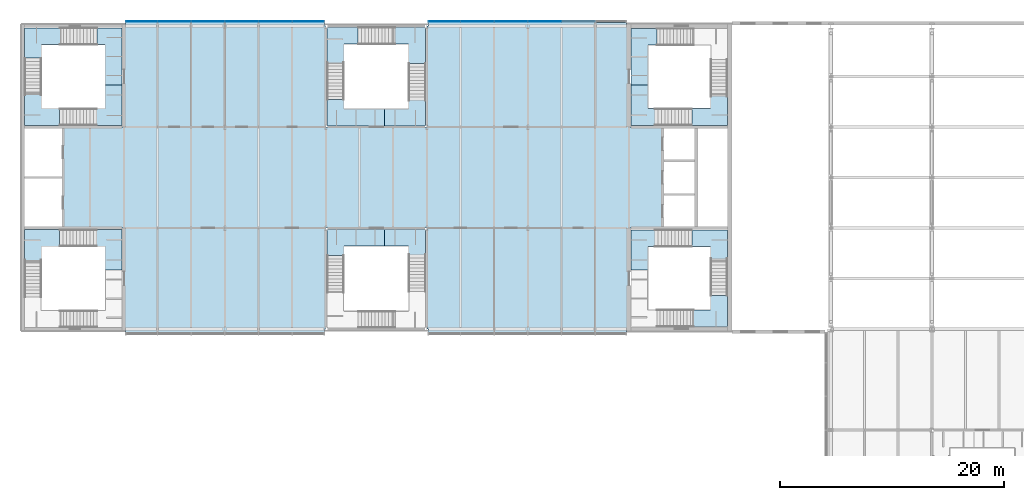
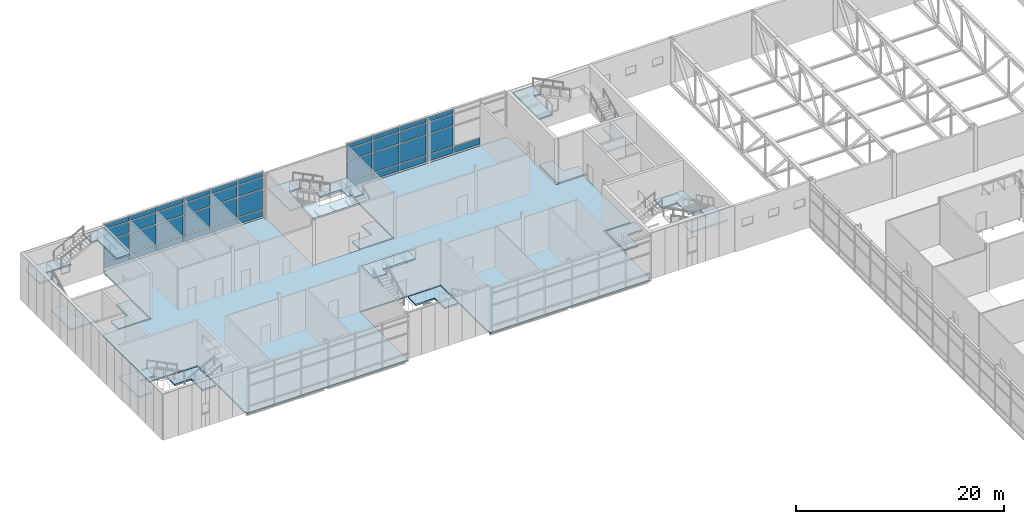
# One storey, part 31 of 53: 41 plates, 19 slabs, 8 elements without a shape of their own.
"""IFC4 building model written with IfcOpenShell, lengths in metres."""

from ifc_helpers import new_model, si_unit, direction, frame, origin, origin_2d, place, context, subcontext, project, spatial, polyline, rectangle, outline, extrude, material, layer, layer_set, type_object, element, aggregate, save


model = new_model("IFC4")

# Units and contexts
model_context = context("Model", 3, precision=1e-05, world=origin(), true_north=direction((0.0, 1.0)))
body_context = subcontext(model_context, "Body", "Model", "MODEL_VIEW")
ifc_project = project(units=[si_unit("LENGTHUNIT", "METRE"), si_unit("AREAUNIT", "SQUARE_METRE"), si_unit("VOLUMEUNIT", "CUBIC_METRE"), si_unit("PLANEANGLEUNIT", "RADIAN"), si_unit("MASSUNIT", "GRAM", prefix="KILO")], contexts=[model_context])

# Site, building, storey
site_placement = place(None, origin())
site = spatial("IfcSite", under=ifc_project, at=site_placement, CompositionType="ELEMENT")
building_placement = place(site_placement, origin())
building = spatial("IfcBuilding", under=site, at=building_placement, Name="Azimuth Sports and Learning Centre", CompositionType="ELEMENT")
storey_placement = place(building_placement, frame((0.0, 0.0, 10.800048828125)))
storey = spatial("IfcBuildingStorey", under=building, at=storey_placement, Name="L02", CompositionType="ELEMENT", Elevation=10.800048828125)

# Slab
ifc_material_1 = material(Name="Concrete C30/37", Category="concrete")
ifc_layer_1 = layer(ifc_material_1, 0.14990234375)
ifc_layer_set_1 = layer_set([ifc_layer_1], Name="Concrete C30/37")
slab_type_1 = type_object("IfcSlabType", Name="Composite floor slab 150", PredefinedType="FLOOR", material=ifc_layer_set_1)
slab_1_placement = place(storey_placement, frame((0.0, 0.0, -0.150146484375)))
element("IfcSlab", 1, at=slab_1_placement, inside=storey, type_object=slab_type_1, Name="Slab West wing L02", PredefinedType="FLOOR", context=body_context, shape_type="SweptSolid", body=[
    extrude(outline(polyline([(9.14990234375, 89.699951171875), (26.89990234375, 89.699951171875), (26.89990234375, 90.0), (27.0, 90.0), (27.0, 99.0), (36.0, 99.0), (36.0, 90.0), (36.10009765625, 90.0), (36.10009765625, 89.699951171875), (53.800048828125, 89.699951171875), (53.800048828125, 90.0), (54.0, 90.0), (54.0, 99.0), (57.0, 99.0), (57.0, 108.0), (54.0, 108.0), (54.0, 117.0), (53.800048828125, 117.0), (53.800048828125, 117.300048828125), (36.10009765625, 117.300048828125), (36.10009765625, 117.0), (36.0, 117.0), (36.0, 108.0), (27.0, 108.0), (27.0, 117.0), (26.89990234375, 117.0), (26.89990234375, 117.300048828125), (9.14990234375, 117.300048828125), (9.14990234375, 117.0), (9.0, 117.0), (9.0, 108.0), (3.60009765625, 108.0), (3.60009765625, 99.0), (9.0, 99.0), (9.0, 90.0), (9.14990234375, 90.0), (9.14990234375, 89.699951171875)])), origin(), (0.0, 0.0, 1.0), 0.150146484375),
])

# Stair, slabs
ifc_material_2 = material(Name="Concrete C32/40", Category="concrete")
stair_type_1 = type_object("IfcStairType", Name="Square-well stair core 5400 storey", PredefinedType="THREE_QUARTER_TURN_STAIR", material=ifc_material_2)
stair_1_placement = place(storey_placement, origin())
stair_1 = element("IfcStair", 2, at=stair_1_placement, inside=storey, type_object=stair_type_1, Name="Stair W1 L02-L03", PredefinedType="THREE_QUARTER_TURN_STAIR")
ifc_material_3 = material(Name="Concrete C32/40", Category="concrete")
ifc_layer_2 = layer(ifc_material_3, 0.199951171875)
ifc_layer_set_2 = layer_set([ifc_layer_2], Name="Concrete C32/40")
slab_type_2 = type_object("IfcSlabType", Name="Concrete stair landing", PredefinedType="LANDING", material=ifc_layer_set_2)
slab_2_placement = place(storey_placement, frame((0.0, 0.0, -0.199951171875)))
slab_2 = element("IfcSlab", 3, at=slab_2_placement, type_object=slab_type_2, Name="Stair W1 L02 landing 1", PredefinedType="LANDING", context=body_context, shape_type="SweptSolid", body=[
    extrude(outline(polyline([(54.2099609375, 98.840087890625), (54.2099609375, 95.25), (55.7099609375, 95.25), (55.7099609375, 97.340087890625), (57.409912109375, 97.340087890625), (57.409912109375, 98.840087890625), (54.2099609375, 98.840087890625)])), origin(), (0.0, 0.0, 1.0), 0.199951171875),
])
slab_3_placement = place(storey_placement, frame((0.0, 0.0, 1.599853515625)))
slab_3 = element("IfcSlab", 4, at=slab_3_placement, type_object=slab_type_2, Name="Stair W1 L02 landing 2", PredefinedType="LANDING", context=body_context, shape_type="SweptSolid", body=[
    extrude(outline(polyline([(61.2900390625, 97.340087890625), (61.2900390625, 95.18994140625), (62.7900390625, 95.18994140625), (62.7900390625, 98.840087890625), (59.609375, 98.840087890625), (59.609375, 97.340087890625), (61.2900390625, 97.340087890625)])), origin(), (0.0, 0.0, 1.0), 0.2001953125),
])
slab_4_placement = place(storey_placement, frame((0.0, 0.0, 3.39990234375)))
slab_4 = element("IfcSlab", 5, at=slab_4_placement, type_object=slab_type_2, Name="Stair W1 L02 landing 3", PredefinedType="LANDING", context=body_context, shape_type="SweptSolid", body=[
    extrude(outline(polyline([(61.2900390625, 91.7099609375), (58.68994140625, 91.7099609375), (58.68994140625, 90.2099609375), (62.7900390625, 90.2099609375), (62.7900390625, 92.99072265625), (61.2900390625, 92.99072265625), (61.2900390625, 91.7099609375)])), origin(), (0.0, 0.0, 1.0), 0.199951171875),
])
aggregate(stair_1, [slab_2, slab_3, slab_4])

stair_2_placement = place(storey_placement, origin())
stair_2 = element("IfcStair", 6, at=stair_2_placement, inside=storey, type_object=stair_type_1, Name="Stair W2 L02-L03", PredefinedType="THREE_QUARTER_TURN_STAIR")
slab_5_placement = place(storey_placement, frame((0.0, 0.0, -0.199951171875)))
slab_5 = element("IfcSlab", 7, at=slab_5_placement, type_object=slab_type_2, Name="Stair W2 L02 landing 1", PredefinedType="LANDING", context=body_context, shape_type="SweptSolid", body=[
    extrude(outline(polyline([(57.409912109375, 109.659912109375), (55.7099609375, 109.659912109375), (55.7099609375, 111.75), (54.2099609375, 111.75), (54.2099609375, 108.159912109375), (57.409912109375, 108.159912109375), (57.409912109375, 109.659912109375)])), origin(), (0.0, 0.0, 1.0), 0.199951171875),
])
slab_6_placement = place(storey_placement, frame((0.0, 0.0, 1.599853515625)))
slab_6 = element("IfcSlab", 8, at=slab_6_placement, type_object=slab_type_2, Name="Stair W2 L02 landing 2", PredefinedType="LANDING", context=body_context, shape_type="SweptSolid", body=[
    extrude(outline(polyline([(61.2900390625, 109.659912109375), (59.609375, 109.659912109375), (59.609375, 108.159912109375), (62.7900390625, 108.159912109375), (62.7900390625, 111.81005859375), (61.2900390625, 111.81005859375), (61.2900390625, 109.659912109375)])), origin(), (0.0, 0.0, 1.0), 0.2001953125),
])
slab_7_placement = place(storey_placement, frame((0.0, 0.0, 5.199951171875)))
slab_7 = element("IfcSlab", 9, at=slab_7_placement, type_object=slab_type_2, Name="Stair W2 L02 landing 4", PredefinedType="LANDING", context=body_context, shape_type="SweptSolid", body=[
    extrude(outline(polyline([(55.7099609375, 115.2900390625), (56.49072265625, 115.2900390625), (56.49072265625, 116.7900390625), (54.2099609375, 116.7900390625), (54.2099609375, 111.75), (55.7099609375, 111.75), (55.7099609375, 115.2900390625)])), origin(), (0.0, 0.0, 1.0), 0.199951171875),
])
aggregate(stair_2, [slab_5, slab_6, slab_7])

ifc_material_4 = material(Name="Concrete C32/40", Category="concrete")
stair_type_2 = type_object("IfcStairType", Name="Square-well stair end core 5400 storey", PredefinedType="THREE_QUARTER_TURN_STAIR", material=ifc_material_4)
stair_3_placement = place(storey_placement, origin())
stair_3 = element("IfcStair", 10, at=stair_3_placement, inside=storey, type_object=stair_type_2, Name="Stair WW1 L02-L03", PredefinedType="THREE_QUARTER_TURN_STAIR")
slab_8_placement = place(storey_placement, frame((0.0, 0.0, -0.199951171875)))
slab_8 = element("IfcSlab", 11, at=slab_8_placement, type_object=slab_type_2, Name="Stair WW1 L02 landing 1", PredefinedType="LANDING", context=body_context, shape_type="SweptSolid", body=[
    extrude(outline(polyline([(5.489990234375, 97.364990234375), (7.340087890625, 97.364990234375), (7.340087890625, 95.25), (8.840087890625, 95.25), (8.840087890625, 98.864990234375), (5.489990234375, 98.864990234375), (5.489990234375, 97.364990234375)])), origin(), (0.0, 0.0, 1.0), 0.199951171875),
])
slab_9_placement = place(storey_placement, frame((0.0, 0.0, 1.599853515625)))
slab_9 = element("IfcSlab", 12, at=slab_9_placement, type_object=slab_type_2, Name="Stair WW1 L02 landing 2", PredefinedType="LANDING", context=body_context, shape_type="SweptSolid", body=[
    extrude(outline(polyline([(1.659912109375, 97.364990234375), (3.290771484375, 97.364990234375), (3.290771484375, 98.864990234375), (0.159912109375, 98.864990234375), (0.159912109375, 95.06494140625), (1.659912109375, 95.06494140625), (1.659912109375, 97.364990234375)])), origin(), (0.0, 0.0, 1.0), 0.2001953125),
])
aggregate(stair_3, [slab_8, slab_9])

stair_4_placement = place(storey_placement, origin())
stair_4 = element("IfcStair", 13, at=stair_4_placement, inside=storey, type_object=stair_type_2, Name="Stair WW2 L02-L03", PredefinedType="THREE_QUARTER_TURN_STAIR")
slab_10_placement = place(storey_placement, frame((0.0, 0.0, -0.199951171875)))
slab_10 = element("IfcSlab", 14, at=slab_10_placement, type_object=slab_type_2, Name="Stair WW2 L02 landing 1", PredefinedType="LANDING", context=body_context, shape_type="SweptSolid", body=[
    extrude(outline(polyline([(8.840087890625, 108.135009765625), (8.840087890625, 111.75), (7.340087890625, 111.75), (7.340087890625, 109.635009765625), (5.489990234375, 109.635009765625), (5.489990234375, 108.135009765625), (8.840087890625, 108.135009765625)])), origin(), (0.0, 0.0, 1.0), 0.199951171875),
])
slab_11_placement = place(storey_placement, frame((0.0, 0.0, 1.599853515625)))
slab_11 = element("IfcSlab", 15, at=slab_11_placement, type_object=slab_type_2, Name="Stair WW2 L02 landing 2", PredefinedType="LANDING", context=body_context, shape_type="SweptSolid", body=[
    extrude(outline(polyline([(1.659912109375, 109.635009765625), (1.659912109375, 111.93505859375), (0.159912109375, 111.93505859375), (0.159912109375, 108.135009765625), (3.290771484375, 108.135009765625), (3.290771484375, 109.635009765625), (1.659912109375, 109.635009765625)])), origin(), (0.0, 0.0, 1.0), 0.2001953125),
])
slab_12_placement = place(storey_placement, frame((0.0, 0.0, 3.39990234375)))
slab_12 = element("IfcSlab", 16, at=slab_12_placement, type_object=slab_type_2, Name="Stair WW2 L02 landing 3", PredefinedType="LANDING", context=body_context, shape_type="SweptSolid", body=[
    extrude(outline(polyline([(1.659912109375, 115.340087890625), (4.409912109375, 115.340087890625), (4.409912109375, 116.840087890625), (0.159912109375, 116.840087890625), (0.159912109375, 114.13427734375), (1.659912109375, 114.13427734375), (1.659912109375, 115.340087890625)])), origin(), (0.0, 0.0, 1.0), 0.199951171875),
])
slab_13_placement = place(storey_placement, frame((0.0, 0.0, 5.199951171875)))
slab_13 = element("IfcSlab", 17, at=slab_13_placement, type_object=slab_type_2, Name="Stair WW2 L02 landing 4", PredefinedType="LANDING", context=body_context, shape_type="SweptSolid", body=[
    extrude(outline(polyline([(7.340087890625, 115.340087890625), (7.340087890625, 111.75), (8.840087890625, 111.75), (8.840087890625, 116.840087890625), (6.609375, 116.840087890625), (6.609375, 115.340087890625), (7.340087890625, 115.340087890625)])), origin(), (0.0, 0.0, 1.0), 0.199951171875),
])
aggregate(stair_4, [slab_10, slab_11, slab_12, slab_13])

ifc_material_5 = material(Name="Concrete C32/40", Category="concrete")
stair_type_3 = type_object("IfcStairType", Name="Square-well stair mid-wing cell 5400 storey", PredefinedType="THREE_QUARTER_TURN_STAIR", material=ifc_material_5)
stair_5_placement = place(storey_placement, origin())
stair_5 = element("IfcStair", 18, at=stair_5_placement, inside=storey, type_object=stair_type_3, Name="Stair WM1 L02-L03", PredefinedType="THREE_QUARTER_TURN_STAIR")
slab_14_placement = place(storey_placement, frame((0.0, 0.0, -0.199951171875)))
slab_14 = element("IfcSlab", 19, at=slab_14_placement, type_object=slab_type_2, Name="Stair WM1 L02 landing 1", PredefinedType="LANDING", context=body_context, shape_type="SweptSolid", body=[
    extrude(outline(polyline([(35.889892578125, 98.889892578125), (32.25, 98.889892578125), (32.25, 97.389892578125), (34.389892578125, 97.389892578125), (34.389892578125, 95.5400390625), (35.889892578125, 95.5400390625), (35.889892578125, 98.889892578125)])), origin(), (0.0, 0.0, 1.0), 0.199951171875),
])
slab_15_placement = place(storey_placement, frame((0.0, 0.0, 5.199951171875)))
slab_15 = element("IfcSlab", 20, at=slab_15_placement, type_object=slab_type_2, Name="Stair WM1 L02 landing 4", PredefinedType="LANDING", context=body_context, shape_type="SweptSolid", body=[
    extrude(outline(polyline([(28.610107421875, 97.389892578125), (32.25, 97.389892578125), (32.25, 98.889892578125), (27.110107421875, 98.889892578125), (27.110107421875, 96.559326171875), (28.610107421875, 96.559326171875), (28.610107421875, 97.389892578125)])), origin(), (0.0, 0.0, 1.0), 0.199951171875),
])
aggregate(stair_5, [slab_14, slab_15])

stair_6_placement = place(storey_placement, origin())
stair_6 = element("IfcStair", 21, at=stair_6_placement, inside=storey, type_object=stair_type_3, Name="Stair WM2 L02-L03", PredefinedType="THREE_QUARTER_TURN_STAIR")
slab_16_placement = place(storey_placement, frame((0.0, 0.0, -0.199951171875)))
slab_16 = element("IfcSlab", 22, at=slab_16_placement, type_object=slab_type_2, Name="Stair WM2 L02 landing 1", PredefinedType="LANDING", context=body_context, shape_type="SweptSolid", body=[
    extrude(outline(polyline([(34.389892578125, 111.4599609375), (34.389892578125, 109.610107421875), (32.25, 109.610107421875), (32.25, 108.110107421875), (35.889892578125, 108.110107421875), (35.889892578125, 111.4599609375), (34.389892578125, 111.4599609375)])), origin(), (0.0, 0.0, 1.0), 0.199951171875),
])
slab_17_placement = place(storey_placement, frame((0.0, 0.0, 1.599853515625)))
slab_17 = element("IfcSlab", 23, at=slab_17_placement, type_object=slab_type_2, Name="Stair WM2 L02 landing 2", PredefinedType="LANDING", context=body_context, shape_type="SweptSolid", body=[
    extrude(outline(polyline([(34.389892578125, 115.389892578125), (34.389892578125, 113.6591796875), (35.889892578125, 113.6591796875), (35.889892578125, 116.889892578125), (32.090087890625, 116.889892578125), (32.090087890625, 115.389892578125), (34.389892578125, 115.389892578125)])), origin(), (0.0, 0.0, 1.0), 0.2001953125),
])
slab_18_placement = place(storey_placement, frame((0.0, 0.0, 3.39990234375)))
slab_18 = element("IfcSlab", 24, at=slab_18_placement, type_object=slab_type_2, Name="Stair WM2 L02 landing 3", PredefinedType="LANDING", context=body_context, shape_type="SweptSolid", body=[
    extrude(outline(polyline([(28.610107421875, 115.389892578125), (29.890625, 115.389892578125), (29.890625, 116.889892578125), (27.110107421875, 116.889892578125), (27.110107421875, 112.639892578125), (28.610107421875, 112.639892578125), (28.610107421875, 115.389892578125)])), origin(), (0.0, 0.0, 1.0), 0.199951171875),
])
slab_19_placement = place(storey_placement, frame((0.0, 0.0, 5.199951171875)))
slab_19 = element("IfcSlab", 25, at=slab_19_placement, type_object=slab_type_2, Name="Stair WM2 L02 landing 4", PredefinedType="LANDING", context=body_context, shape_type="SweptSolid", body=[
    extrude(outline(polyline([(28.610107421875, 109.610107421875), (28.610107421875, 110.440673828125), (27.110107421875, 110.440673828125), (27.110107421875, 108.110107421875), (32.25, 108.110107421875), (32.25, 109.610107421875), (28.610107421875, 109.610107421875)])), origin(), (0.0, 0.0, 1.0), 0.199951171875),
])
aggregate(stair_6, [slab_16, slab_17, slab_18, slab_19])

# Curtain wall, plates
ifc_material_6 = material(Name="Aluminium and glass", Category="aluminium")
curtain_wall_type = type_object("IfcCurtainWallType", Name="Curtain wall podium wing 240", PredefinedType="NOTDEFINED", material=ifc_material_6)
curtain_wall_1_placement = place(storey_placement, origin())
curtain_wall_1 = element("IfcCurtainWall", 26, at=curtain_wall_1_placement, inside=storey, type_object=curtain_wall_type, Name="Curtain wall CW02-013", PredefinedType="NOTDEFINED")
ifc_material_7 = material(Name="Insulated aluminium panel", Category="aluminium")
ifc_layer_3 = layer(ifc_material_7, 0.06005859375)
ifc_layer_set_3 = layer_set([ifc_layer_3], Name="Insulated aluminium panel")
plate_type_1 = type_object("IfcPlateType", Name="Spandrel panel 60 mm", PredefinedType="CURTAIN_PANEL", material=ifc_layer_set_3)
plate_1_placement = place(storey_placement, frame((49.5, 117.419921875, 0.1201171875), z_axis=(0.0, 0.0, 1.0), x_axis=(-1.0, 0.0, 0.0)))
plate_1 = element("IfcPlate", 27, at=plate_1_placement, type_object=plate_type_1, Name="CW02-013 panel 2.1", PredefinedType="CURTAIN_PANEL", context=body_context, shape_type="SweptSolid", body=[
    extrude(rectangle(XDim=2.919921875, YDim=0.06005859375, at=origin_2d()), origin(), (0.0, 0.0, 1.0), 0.719970703125),
])
plate_2_placement = place(storey_placement, frame((46.5, 117.419921875, 0.1201171875), z_axis=(0.0, 0.0, 1.0), x_axis=(-1.0, 0.0, 0.0)))
plate_2 = element("IfcPlate", 28, at=plate_2_placement, type_object=plate_type_1, Name="CW02-013 panel 3.1", PredefinedType="CURTAIN_PANEL", context=body_context, shape_type="SweptSolid", body=[
    extrude(rectangle(XDim=2.919921875, YDim=0.06005859375, at=origin_2d()), origin(), (0.0, 0.0, 1.0), 0.719970703125),
])
plate_3_placement = place(storey_placement, frame((46.5, 117.419921875, 4.760009765625), z_axis=(0.0, 0.0, 1.0), x_axis=(-1.0, 0.0, 0.0)))
plate_3 = element("IfcPlate", 29, at=plate_3_placement, type_object=plate_type_1, Name="CW02-013 panel 3.4", PredefinedType="CURTAIN_PANEL", context=body_context, shape_type="SweptSolid", body=[
    extrude(rectangle(XDim=2.919921875, YDim=0.06005859375, at=origin_2d()), origin(), (0.0, 0.0, 1.0), 0.52001953125),
])
plate_4_placement = place(storey_placement, frame((43.5, 117.419921875, 0.1201171875), z_axis=(0.0, 0.0, 1.0), x_axis=(-1.0, 0.0, 0.0)))
plate_4 = element("IfcPlate", 30, at=plate_4_placement, type_object=plate_type_1, Name="CW02-013 panel 4.1", PredefinedType="CURTAIN_PANEL", context=body_context, shape_type="SweptSolid", body=[
    extrude(rectangle(XDim=2.919921875, YDim=0.06005859375, at=origin_2d()), origin(), (0.0, 0.0, 1.0), 0.719970703125),
])
plate_5_placement = place(storey_placement, frame((43.5, 117.419921875, 4.760009765625), z_axis=(0.0, 0.0, 1.0), x_axis=(-1.0, 0.0, 0.0)))
plate_5 = element("IfcPlate", 31, at=plate_5_placement, type_object=plate_type_1, Name="CW02-013 panel 4.4", PredefinedType="CURTAIN_PANEL", context=body_context, shape_type="SweptSolid", body=[
    extrude(rectangle(XDim=2.919921875, YDim=0.06005859375, at=origin_2d()), origin(), (0.0, 0.0, 1.0), 0.52001953125),
])
plate_6_placement = place(storey_placement, frame((40.5, 117.419921875, 0.1201171875), z_axis=(0.0, 0.0, 1.0), x_axis=(-1.0, 0.0, 0.0)))
plate_6 = element("IfcPlate", 32, at=plate_6_placement, type_object=plate_type_1, Name="CW02-013 panel 5.1", PredefinedType="CURTAIN_PANEL", context=body_context, shape_type="SweptSolid", body=[
    extrude(rectangle(XDim=2.919921875, YDim=0.06005859375, at=origin_2d()), origin(), (0.0, 0.0, 1.0), 0.719970703125),
])
plate_7_placement = place(storey_placement, frame((40.5, 117.419921875, 4.760009765625), z_axis=(0.0, 0.0, 1.0), x_axis=(-1.0, 0.0, 0.0)))
plate_7 = element("IfcPlate", 33, at=plate_7_placement, type_object=plate_type_1, Name="CW02-013 panel 5.4", PredefinedType="CURTAIN_PANEL", context=body_context, shape_type="SweptSolid", body=[
    extrude(rectangle(XDim=2.919921875, YDim=0.06005859375, at=origin_2d()), origin(), (0.0, 0.0, 1.0), 0.52001953125),
])
plate_8_placement = place(storey_placement, frame((37.570068359375, 117.419921875, 0.1201171875), z_axis=(0.0, 0.0, 1.0), x_axis=(-1.0, 0.0, 0.0)))
plate_8 = element("IfcPlate", 34, at=plate_8_placement, type_object=plate_type_1, Name="CW02-013 panel 6.1", PredefinedType="CURTAIN_PANEL", context=body_context, shape_type="SweptSolid", body=[
    extrude(rectangle(XDim=2.780029296875, YDim=0.06005859375, at=origin_2d()), origin(), (0.0, 0.0, 1.0), 0.719970703125),
])
plate_9_placement = place(storey_placement, frame((37.570068359375, 117.419921875, 4.760009765625), z_axis=(0.0, 0.0, 1.0), x_axis=(-1.0, 0.0, 0.0)))
plate_9 = element("IfcPlate", 35, at=plate_9_placement, type_object=plate_type_1, Name="CW02-013 panel 6.4", PredefinedType="CURTAIN_PANEL", context=body_context, shape_type="SweptSolid", body=[
    extrude(rectangle(XDim=2.780029296875, YDim=0.06005859375, at=origin_2d()), origin(), (0.0, 0.0, 1.0), 0.52001953125),
])

curtain_wall_2_placement = place(storey_placement, origin())
curtain_wall_2 = element("IfcCurtainWall", 36, at=curtain_wall_2_placement, inside=storey, type_object=curtain_wall_type, Name="Curtain wall CW02-014", PredefinedType="NOTDEFINED")
plate_10_placement = place(storey_placement, frame((25.429931640625, 117.419921875, 0.1201171875), z_axis=(0.0, 0.0, 1.0), x_axis=(-1.0, 0.0, 0.0)))
plate_10 = element("IfcPlate", 37, at=plate_10_placement, type_object=plate_type_1, Name="CW02-014 panel 1.1", PredefinedType="CURTAIN_PANEL", context=body_context, shape_type="SweptSolid", body=[
    extrude(rectangle(XDim=2.780029296875, YDim=0.06005859375, at=origin_2d()), origin(), (0.0, 0.0, 1.0), 0.719970703125),
])
plate_11_placement = place(storey_placement, frame((25.429931640625, 117.419921875, 4.760009765625), z_axis=(0.0, 0.0, 1.0), x_axis=(-1.0, 0.0, 0.0)))
plate_11 = element("IfcPlate", 38, at=plate_11_placement, type_object=plate_type_1, Name="CW02-014 panel 1.4", PredefinedType="CURTAIN_PANEL", context=body_context, shape_type="SweptSolid", body=[
    extrude(rectangle(XDim=2.780029296875, YDim=0.06005859375, at=origin_2d()), origin(), (0.0, 0.0, 1.0), 0.52001953125),
])
plate_12_placement = place(storey_placement, frame((22.5, 117.419921875, 0.1201171875), z_axis=(0.0, 0.0, 1.0), x_axis=(-1.0, 0.0, 0.0)))
plate_12 = element("IfcPlate", 39, at=plate_12_placement, type_object=plate_type_1, Name="CW02-014 panel 2.1", PredefinedType="CURTAIN_PANEL", context=body_context, shape_type="SweptSolid", body=[
    extrude(rectangle(XDim=2.919921875, YDim=0.06005859375, at=origin_2d()), origin(), (0.0, 0.0, 1.0), 0.719970703125),
])
plate_13_placement = place(storey_placement, frame((22.5, 117.419921875, 4.760009765625), z_axis=(0.0, 0.0, 1.0), x_axis=(-1.0, 0.0, 0.0)))
plate_13 = element("IfcPlate", 40, at=plate_13_placement, type_object=plate_type_1, Name="CW02-014 panel 2.4", PredefinedType="CURTAIN_PANEL", context=body_context, shape_type="SweptSolid", body=[
    extrude(rectangle(XDim=2.919921875, YDim=0.06005859375, at=origin_2d()), origin(), (0.0, 0.0, 1.0), 0.52001953125),
])
plate_14_placement = place(storey_placement, frame((19.5, 117.419921875, 0.1201171875), z_axis=(0.0, 0.0, 1.0), x_axis=(-1.0, 0.0, 0.0)))
plate_14 = element("IfcPlate", 41, at=plate_14_placement, type_object=plate_type_1, Name="CW02-014 panel 3.1", PredefinedType="CURTAIN_PANEL", context=body_context, shape_type="SweptSolid", body=[
    extrude(rectangle(XDim=2.919921875, YDim=0.06005859375, at=origin_2d()), origin(), (0.0, 0.0, 1.0), 0.719970703125),
])
plate_15_placement = place(storey_placement, frame((19.5, 117.419921875, 4.760009765625), z_axis=(0.0, 0.0, 1.0), x_axis=(-1.0, 0.0, 0.0)))
plate_15 = element("IfcPlate", 42, at=plate_15_placement, type_object=plate_type_1, Name="CW02-014 panel 3.4", PredefinedType="CURTAIN_PANEL", context=body_context, shape_type="SweptSolid", body=[
    extrude(rectangle(XDim=2.919921875, YDim=0.06005859375, at=origin_2d()), origin(), (0.0, 0.0, 1.0), 0.52001953125),
])
plate_16_placement = place(storey_placement, frame((16.5, 117.419921875, 0.1201171875), z_axis=(0.0, 0.0, 1.0), x_axis=(-1.0, 0.0, 0.0)))
plate_16 = element("IfcPlate", 43, at=plate_16_placement, type_object=plate_type_1, Name="CW02-014 panel 4.1", PredefinedType="CURTAIN_PANEL", context=body_context, shape_type="SweptSolid", body=[
    extrude(rectangle(XDim=2.919921875, YDim=0.06005859375, at=origin_2d()), origin(), (0.0, 0.0, 1.0), 0.719970703125),
])
plate_17_placement = place(storey_placement, frame((16.5, 117.419921875, 4.760009765625), z_axis=(0.0, 0.0, 1.0), x_axis=(-1.0, 0.0, 0.0)))
plate_17 = element("IfcPlate", 44, at=plate_17_placement, type_object=plate_type_1, Name="CW02-014 panel 4.4", PredefinedType="CURTAIN_PANEL", context=body_context, shape_type="SweptSolid", body=[
    extrude(rectangle(XDim=2.919921875, YDim=0.06005859375, at=origin_2d()), origin(), (0.0, 0.0, 1.0), 0.52001953125),
])
plate_18_placement = place(storey_placement, frame((13.5, 117.419921875, 0.1201171875), z_axis=(0.0, 0.0, 1.0), x_axis=(-1.0, 0.0, 0.0)))
plate_18 = element("IfcPlate", 45, at=plate_18_placement, type_object=plate_type_1, Name="CW02-014 panel 5.1", PredefinedType="CURTAIN_PANEL", context=body_context, shape_type="SweptSolid", body=[
    extrude(rectangle(XDim=2.919921875, YDim=0.06005859375, at=origin_2d()), origin(), (0.0, 0.0, 1.0), 0.719970703125),
])
plate_19_placement = place(storey_placement, frame((13.5, 117.419921875, 4.760009765625), z_axis=(0.0, 0.0, 1.0), x_axis=(-1.0, 0.0, 0.0)))
plate_19 = element("IfcPlate", 46, at=plate_19_placement, type_object=plate_type_1, Name="CW02-014 panel 5.4", PredefinedType="CURTAIN_PANEL", context=body_context, shape_type="SweptSolid", body=[
    extrude(rectangle(XDim=2.919921875, YDim=0.06005859375, at=origin_2d()), origin(), (0.0, 0.0, 1.0), 0.52001953125),
])
plate_20_placement = place(storey_placement, frame((10.594970703125, 117.419921875, 0.1201171875), z_axis=(0.0, 0.0, 1.0), x_axis=(-1.0, 0.0, 0.0)))
plate_20 = element("IfcPlate", 47, at=plate_20_placement, type_object=plate_type_1, Name="CW02-014 panel 6.1", PredefinedType="CURTAIN_PANEL", context=body_context, shape_type="SweptSolid", body=[
    extrude(rectangle(XDim=2.72998046875, YDim=0.06005859375, at=origin_2d()), origin(), (0.0, 0.0, 1.0), 0.719970703125),
])
plate_21_placement = place(storey_placement, frame((10.594970703125, 117.419921875, 4.760009765625), z_axis=(0.0, 0.0, 1.0), x_axis=(-1.0, 0.0, 0.0)))
plate_21 = element("IfcPlate", 48, at=plate_21_placement, type_object=plate_type_1, Name="CW02-014 panel 6.4", PredefinedType="CURTAIN_PANEL", context=body_context, shape_type="SweptSolid", body=[
    extrude(rectangle(XDim=2.72998046875, YDim=0.06005859375, at=origin_2d()), origin(), (0.0, 0.0, 1.0), 0.52001953125),
])

# Plate
ifc_material_8 = material(Name="Glass", Category="glass")
ifc_layer_4 = layer(ifc_material_8, 0.0439453125)
ifc_layer_set_4 = layer_set([ifc_layer_4], Name="Glass")
plate_type_2 = type_object("IfcPlateType", Name="Vision glass 44 mm", PredefinedType="CURTAIN_PANEL", material=ifc_layer_set_4)
plate_22_placement = place(storey_placement, frame((46.5, 117.419921875, 0.9599609375), z_axis=(0.0, 0.0, 1.0), x_axis=(-1.0, 0.0, 0.0)))
plate_22 = element("IfcPlate", 49, at=plate_22_placement, type_object=plate_type_2, Name="CW02-013 panel 3.2", PredefinedType="CURTAIN_PANEL", context=body_context, shape_type="SweptSolid", body=[
    extrude(rectangle(XDim=2.919921875, YDim=0.0439453125, at=origin_2d()), origin(), (0.0, 0.0, 1.0), 2.280029296875),
])

plate_23_placement = place(storey_placement, frame((46.5, 117.419921875, 3.35986328125), z_axis=(0.0, 0.0, 1.0), x_axis=(-1.0, 0.0, 0.0)))
plate_23 = element("IfcPlate", 50, at=plate_23_placement, type_object=plate_type_2, Name="CW02-013 panel 3.3", PredefinedType="CURTAIN_PANEL", context=body_context, shape_type="SweptSolid", body=[
    extrude(rectangle(XDim=2.919921875, YDim=0.0439453125, at=origin_2d()), origin(), (0.0, 0.0, 1.0), 1.280029296875),
])

plate_24_placement = place(storey_placement, frame((43.5, 117.419921875, 0.9599609375), z_axis=(0.0, 0.0, 1.0), x_axis=(-1.0, 0.0, 0.0)))
plate_24 = element("IfcPlate", 51, at=plate_24_placement, type_object=plate_type_2, Name="CW02-013 panel 4.2", PredefinedType="CURTAIN_PANEL", context=body_context, shape_type="SweptSolid", body=[
    extrude(rectangle(XDim=2.919921875, YDim=0.0439453125, at=origin_2d()), origin(), (0.0, 0.0, 1.0), 2.280029296875),
])

plate_25_placement = place(storey_placement, frame((43.5, 117.419921875, 3.35986328125), z_axis=(0.0, 0.0, 1.0), x_axis=(-1.0, 0.0, 0.0)))
plate_25 = element("IfcPlate", 52, at=plate_25_placement, type_object=plate_type_2, Name="CW02-013 panel 4.3", PredefinedType="CURTAIN_PANEL", context=body_context, shape_type="SweptSolid", body=[
    extrude(rectangle(XDim=2.919921875, YDim=0.0439453125, at=origin_2d()), origin(), (0.0, 0.0, 1.0), 1.280029296875),
])

plate_26_placement = place(storey_placement, frame((40.5, 117.419921875, 0.9599609375), z_axis=(0.0, 0.0, 1.0), x_axis=(-1.0, 0.0, 0.0)))
plate_26 = element("IfcPlate", 53, at=plate_26_placement, type_object=plate_type_2, Name="CW02-013 panel 5.2", PredefinedType="CURTAIN_PANEL", context=body_context, shape_type="SweptSolid", body=[
    extrude(rectangle(XDim=2.919921875, YDim=0.0439453125, at=origin_2d()), origin(), (0.0, 0.0, 1.0), 2.280029296875),
])

plate_27_placement = place(storey_placement, frame((40.5, 117.419921875, 3.35986328125), z_axis=(0.0, 0.0, 1.0), x_axis=(-1.0, 0.0, 0.0)))
plate_27 = element("IfcPlate", 54, at=plate_27_placement, type_object=plate_type_2, Name="CW02-013 panel 5.3", PredefinedType="CURTAIN_PANEL", context=body_context, shape_type="SweptSolid", body=[
    extrude(rectangle(XDim=2.919921875, YDim=0.0439453125, at=origin_2d()), origin(), (0.0, 0.0, 1.0), 1.280029296875),
])

plate_28_placement = place(storey_placement, frame((37.570068359375, 117.419921875, 0.9599609375), z_axis=(0.0, 0.0, 1.0), x_axis=(-1.0, 0.0, 0.0)))
plate_28 = element("IfcPlate", 55, at=plate_28_placement, type_object=plate_type_2, Name="CW02-013 panel 6.2", PredefinedType="CURTAIN_PANEL", context=body_context, shape_type="SweptSolid", body=[
    extrude(rectangle(XDim=2.780029296875, YDim=0.0439453125, at=origin_2d()), origin(), (0.0, 0.0, 1.0), 2.280029296875),
])

plate_29_placement = place(storey_placement, frame((37.570068359375, 117.419921875, 3.35986328125), z_axis=(0.0, 0.0, 1.0), x_axis=(-1.0, 0.0, 0.0)))
plate_29 = element("IfcPlate", 56, at=plate_29_placement, type_object=plate_type_2, Name="CW02-013 panel 6.3", PredefinedType="CURTAIN_PANEL", context=body_context, shape_type="SweptSolid", body=[
    extrude(rectangle(XDim=2.780029296875, YDim=0.0439453125, at=origin_2d()), origin(), (0.0, 0.0, 1.0), 1.280029296875),
])

aggregate(curtain_wall_1, [plate_1, plate_2, plate_22, plate_23, plate_3, plate_4, plate_24, plate_25, plate_5, plate_6, plate_26, plate_27, plate_7, plate_8, plate_28, plate_29, plate_9])

plate_30_placement = place(storey_placement, frame((25.429931640625, 117.419921875, 0.9599609375), z_axis=(0.0, 0.0, 1.0), x_axis=(-1.0, 0.0, 0.0)))
plate_30 = element("IfcPlate", 57, at=plate_30_placement, type_object=plate_type_2, Name="CW02-014 panel 1.2", PredefinedType="CURTAIN_PANEL", context=body_context, shape_type="SweptSolid", body=[
    extrude(rectangle(XDim=2.780029296875, YDim=0.0439453125, at=origin_2d()), origin(), (0.0, 0.0, 1.0), 2.280029296875),
])

plate_31_placement = place(storey_placement, frame((25.429931640625, 117.419921875, 3.35986328125), z_axis=(0.0, 0.0, 1.0), x_axis=(-1.0, 0.0, 0.0)))
plate_31 = element("IfcPlate", 58, at=plate_31_placement, type_object=plate_type_2, Name="CW02-014 panel 1.3", PredefinedType="CURTAIN_PANEL", context=body_context, shape_type="SweptSolid", body=[
    extrude(rectangle(XDim=2.780029296875, YDim=0.0439453125, at=origin_2d()), origin(), (0.0, 0.0, 1.0), 1.280029296875),
])

plate_32_placement = place(storey_placement, frame((22.5, 117.419921875, 0.9599609375), z_axis=(0.0, 0.0, 1.0), x_axis=(-1.0, 0.0, 0.0)))
plate_32 = element("IfcPlate", 59, at=plate_32_placement, type_object=plate_type_2, Name="CW02-014 panel 2.2", PredefinedType="CURTAIN_PANEL", context=body_context, shape_type="SweptSolid", body=[
    extrude(rectangle(XDim=2.919921875, YDim=0.0439453125, at=origin_2d()), origin(), (0.0, 0.0, 1.0), 2.280029296875),
])

plate_33_placement = place(storey_placement, frame((22.5, 117.419921875, 3.35986328125), z_axis=(0.0, 0.0, 1.0), x_axis=(-1.0, 0.0, 0.0)))
plate_33 = element("IfcPlate", 60, at=plate_33_placement, type_object=plate_type_2, Name="CW02-014 panel 2.3", PredefinedType="CURTAIN_PANEL", context=body_context, shape_type="SweptSolid", body=[
    extrude(rectangle(XDim=2.919921875, YDim=0.0439453125, at=origin_2d()), origin(), (0.0, 0.0, 1.0), 1.280029296875),
])

plate_34_placement = place(storey_placement, frame((19.5, 117.419921875, 0.9599609375), z_axis=(0.0, 0.0, 1.0), x_axis=(-1.0, 0.0, 0.0)))
plate_34 = element("IfcPlate", 61, at=plate_34_placement, type_object=plate_type_2, Name="CW02-014 panel 3.2", PredefinedType="CURTAIN_PANEL", context=body_context, shape_type="SweptSolid", body=[
    extrude(rectangle(XDim=2.919921875, YDim=0.0439453125, at=origin_2d()), origin(), (0.0, 0.0, 1.0), 2.280029296875),
])

plate_35_placement = place(storey_placement, frame((19.5, 117.419921875, 3.35986328125), z_axis=(0.0, 0.0, 1.0), x_axis=(-1.0, 0.0, 0.0)))
plate_35 = element("IfcPlate", 62, at=plate_35_placement, type_object=plate_type_2, Name="CW02-014 panel 3.3", PredefinedType="CURTAIN_PANEL", context=body_context, shape_type="SweptSolid", body=[
    extrude(rectangle(XDim=2.919921875, YDim=0.0439453125, at=origin_2d()), origin(), (0.0, 0.0, 1.0), 1.280029296875),
])

plate_36_placement = place(storey_placement, frame((16.5, 117.419921875, 0.9599609375), z_axis=(0.0, 0.0, 1.0), x_axis=(-1.0, 0.0, 0.0)))
plate_36 = element("IfcPlate", 63, at=plate_36_placement, type_object=plate_type_2, Name="CW02-014 panel 4.2", PredefinedType="CURTAIN_PANEL", context=body_context, shape_type="SweptSolid", body=[
    extrude(rectangle(XDim=2.919921875, YDim=0.0439453125, at=origin_2d()), origin(), (0.0, 0.0, 1.0), 2.280029296875),
])

plate_37_placement = place(storey_placement, frame((16.5, 117.419921875, 3.35986328125), z_axis=(0.0, 0.0, 1.0), x_axis=(-1.0, 0.0, 0.0)))
plate_37 = element("IfcPlate", 64, at=plate_37_placement, type_object=plate_type_2, Name="CW02-014 panel 4.3", PredefinedType="CURTAIN_PANEL", context=body_context, shape_type="SweptSolid", body=[
    extrude(rectangle(XDim=2.919921875, YDim=0.0439453125, at=origin_2d()), origin(), (0.0, 0.0, 1.0), 1.280029296875),
])

plate_38_placement = place(storey_placement, frame((13.5, 117.419921875, 0.9599609375), z_axis=(0.0, 0.0, 1.0), x_axis=(-1.0, 0.0, 0.0)))
plate_38 = element("IfcPlate", 65, at=plate_38_placement, type_object=plate_type_2, Name="CW02-014 panel 5.2", PredefinedType="CURTAIN_PANEL", context=body_context, shape_type="SweptSolid", body=[
    extrude(rectangle(XDim=2.919921875, YDim=0.0439453125, at=origin_2d()), origin(), (0.0, 0.0, 1.0), 2.280029296875),
])

plate_39_placement = place(storey_placement, frame((13.5, 117.419921875, 3.35986328125), z_axis=(0.0, 0.0, 1.0), x_axis=(-1.0, 0.0, 0.0)))
plate_39 = element("IfcPlate", 66, at=plate_39_placement, type_object=plate_type_2, Name="CW02-014 panel 5.3", PredefinedType="CURTAIN_PANEL", context=body_context, shape_type="SweptSolid", body=[
    extrude(rectangle(XDim=2.919921875, YDim=0.0439453125, at=origin_2d()), origin(), (0.0, 0.0, 1.0), 1.280029296875),
])

plate_40_placement = place(storey_placement, frame((10.594970703125, 117.419921875, 0.9599609375), z_axis=(0.0, 0.0, 1.0), x_axis=(-1.0, 0.0, 0.0)))
plate_40 = element("IfcPlate", 67, at=plate_40_placement, type_object=plate_type_2, Name="CW02-014 panel 6.2", PredefinedType="CURTAIN_PANEL", context=body_context, shape_type="SweptSolid", body=[
    extrude(rectangle(XDim=2.72998046875, YDim=0.0439453125, at=origin_2d()), origin(), (0.0, 0.0, 1.0), 2.280029296875),
])

plate_41_placement = place(storey_placement, frame((10.594970703125, 117.419921875, 3.35986328125), z_axis=(0.0, 0.0, 1.0), x_axis=(-1.0, 0.0, 0.0)))
plate_41 = element("IfcPlate", 68, at=plate_41_placement, type_object=plate_type_2, Name="CW02-014 panel 6.3", PredefinedType="CURTAIN_PANEL", context=body_context, shape_type="SweptSolid", body=[
    extrude(rectangle(XDim=2.72998046875, YDim=0.0439453125, at=origin_2d()), origin(), (0.0, 0.0, 1.0), 1.280029296875),
])

aggregate(curtain_wall_2, [plate_10, plate_30, plate_31, plate_11, plate_12, plate_32, plate_33, plate_13, plate_14, plate_34, plate_35, plate_15, plate_16, plate_36, plate_37, plate_17, plate_18, plate_38, plate_39, plate_19, plate_20, plate_40, plate_41, plate_21])

save(model, "model.ifc")
